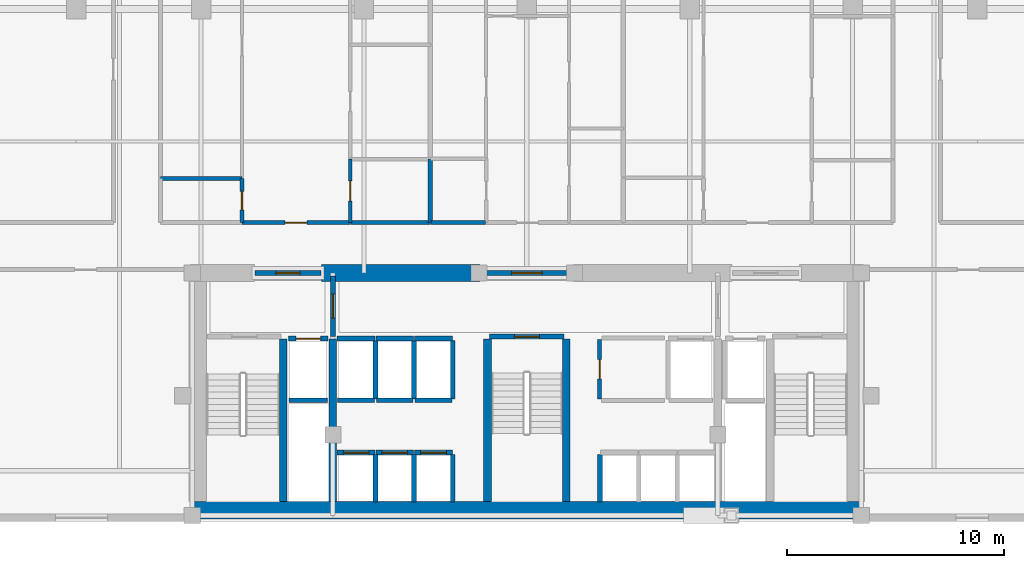
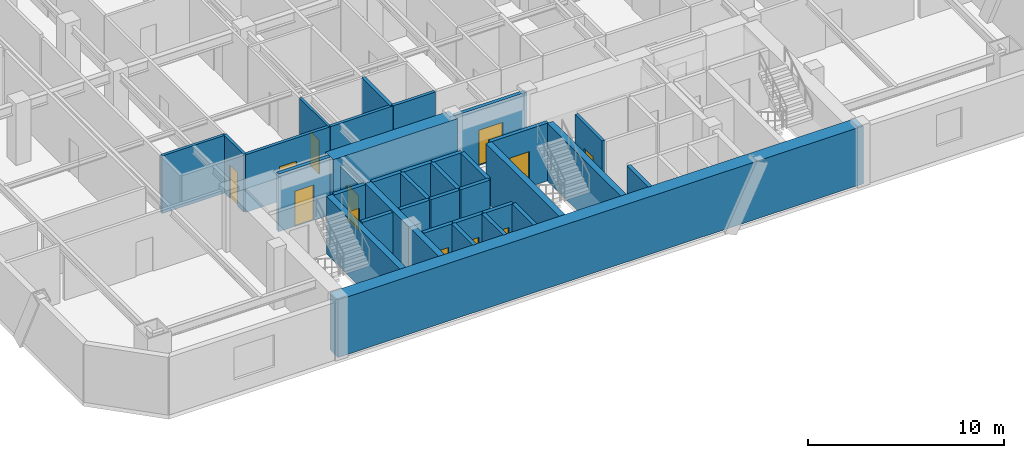
# One storey, part 3 of 9: 36 walls, 12 doors, 12 openings.
"""IFC4 building model written with IfcOpenShell, lengths in metres."""

from ifc_helpers import new_model, si_unit, direction, frame, frame_2d, origin, place, context, subcontext, project, spatial, rectangle, extrude, material, layer, layer_set, type_object, element, fill, save


model = new_model("IFC4")

# Units and contexts
model_context = context("Model", 3, precision=1e-05, world=origin(), true_north=direction((0.0, 1.0)))
body_context = subcontext(model_context, "Body", "Model", "MODEL_VIEW")
ifc_project = project(units=[si_unit("LENGTHUNIT", "METRE"), si_unit("AREAUNIT", "SQUARE_METRE"), si_unit("VOLUMEUNIT", "CUBIC_METRE"), si_unit("PLANEANGLEUNIT", "RADIAN"), si_unit("MASSUNIT", "GRAM", prefix="KILO")], contexts=[model_context])

# Site, building, storey
site_placement = place(None, origin())
site = spatial("IfcSite", under=ifc_project, at=site_placement, CompositionType="ELEMENT")
building_placement = place(site_placement, origin())
building = spatial("IfcBuilding", under=site, at=building_placement, Name="Ventersveld Concourse Tower", CompositionType="ELEMENT")
storey_placement = place(building_placement, frame((0.0, 0.0, 45.199951171875)))
storey = spatial("IfcBuildingStorey", under=building, at=storey_placement, Name="L10", CompositionType="ELEMENT", Elevation=45.199951171875)

# Walls
ifc_material_1 = material(Name="Concrete C60/75", Category="concrete")
ifc_layer_1 = layer(ifc_material_1, 0.35009765625)
ifc_layer_set_1 = layer_set([ifc_layer_1], Name="Concrete C60/75")
wall_type_1 = type_object("IfcWallType", Name="WL-CORE-350L", PredefinedType="SHEAR", material=ifc_layer_set_1)
for number, where, z_axis, x_axis, name in (
    (1, (17.5400390625, 0.919921875, 0.0), (0.0, 0.0, 1.0), (0.0, 1.0, 0.0), "L10 Core Internal Shear Web W-ST1-E"),
    (2, (19.820068359375, 0.919921875, 0.0), (0.0, 0.0, 1.0), (0.0, 1.0, 0.0), "L10 Core Internal Shear Web W-FF1-E"),
    (3, (26.93994140625, 0.919921875, 0.0), (0.0, 0.0, 1.0), (0.0, 1.0, 0.0), "L10 Core Internal Shear Web W-ST3-W"),
    (4, (30.56005859375, 0.919921875, 0.0), (0.0, 0.0, 1.0), (0.0, 1.0, 0.0), "L10 Core Internal Shear Web W-ST3-E"),
):
    element("IfcWall", number, at=place(storey_placement, frame(where, z_axis=z_axis, x_axis=x_axis)), inside=storey, type_object=wall_type_1, Name=name, PredefinedType="SHEAR", context=body_context, shape_type="SweptSolid", body=[
        extrude(rectangle(XDim=7.5, YDim=0.35009765625, at=frame_2d((3.75, 0.0))), origin(), (0.0, 0.0, 1.0), 3.60009765625),
    ])
ifc_layer_2 = layer(ifc_material_1, 0.800048828125)
ifc_layer_set_2 = layer_set([ifc_layer_2], Name="Concrete C60/75")
wall_type_2 = type_object("IfcWallType", Name="WL-CORE-800", PredefinedType="SHEAR", material=ifc_layer_set_2)
wall_1_placement = place(storey_placement, frame((13.25, 0.52001953125, 0.0), z_axis=(0.0, 0.0, 1.0), x_axis=(1.0, 0.0, 0.0)))
element("IfcWall", 5, at=wall_1_placement, inside=storey, type_object=wall_type_2, Name="L10 Rear Core South Shear Wall", PredefinedType="SHEAR", context=body_context, shape_type="SweptSolid", body=[
    extrude(rectangle(XDim=31.0, YDim=0.800048828125, at=frame_2d((15.5, 0.0))), origin(), (0.0, 0.0, 1.0), 3.60009765625),
])
wall_2_placement = place(storey_placement, frame((19.300048828125, 11.449951171875, 0.0), z_axis=(0.0, 0.0, 1.0), x_axis=(1.0, 0.0, 0.0)))
element("IfcWall", 6, at=wall_2_placement, inside=storey, type_object=wall_type_2, Name="L10 Rear Core North Shear Wall NML", PredefinedType="SHEAR", context=body_context, shape_type="SweptSolid", body=[
    extrude(rectangle(XDim=7.300048828125, YDim=0.800048828125, at=frame_2d((3.64990234375, 0.0))), origin(), (0.0, 0.0, 1.0), 3.60009765625),
])

# Wall, opening, door
ifc_material_2 = material(Name="Fire-rated autoclaved aerated masonry blockwork", Category="masonry")
ifc_layer_3 = layer(ifc_material_2, 0.179931640625)
ifc_layer_set_3 = layer_set([ifc_layer_3], Name="Fire-rated autoclaved aerated masonry blockwork")
wall_type_3 = type_object("IfcWallType", Name="WL-CORR-180", PredefinedType="PARTITIONING", material=ifc_layer_set_3)
wall_3_placement = place(storey_placement, frame((32.10009765625, 5.64990234375, 0.0), z_axis=(0.0, 0.0, 1.0), x_axis=(0.0, 1.0, 0.0)))
wall_3 = element("IfcWall", 7, at=wall_3_placement, inside=storey, type_object=wall_type_3, Name="L10 Core Passage Wall SP-L10-CBAY1", PredefinedType="PARTITIONING", context=body_context, shape_type="SweptSolid", body=[
    extrude(rectangle(XDim=2.72998046875, YDim=0.179931640625, at=frame_2d((1.364990234375, 0.0))), origin(), (0.0, 0.0, 1.0), 3.60009765625),
])
opening_1_placement = place(wall_3_placement, frame((0.925048828125, 0.0, 0.0)))
opening_1 = element("IfcOpeningElement", 8, at=opening_1_placement, cuts=wall_3, Name="Opening FD5", PredefinedType="OPENING", context=body_context, shape_type="SweptSolid", body=[
    extrude(rectangle(XDim=0.8798828125, YDim=2.050048828125, at=frame_2d((0.43994140625, 1.02490234375))), frame((0.0, 0.10009765625, 0.0), z_axis=(0.0, -1.0, 0.0), x_axis=(1.0, 0.0, 0.0)), (0.0, 0.0, 1.0), 0.199951171875),
])
ifc_material_3 = material(Name="Galvanised painted steel", Category="steel")
door_type_1 = type_object("IfcDoorType", Name="DR-RISER-088", OperationType="NOTDEFINED", PredefinedType="DOOR", material=ifc_material_3)
door_1_placement = place(opening_1_placement, origin())
door_1 = element("IfcDoor", 9, at=door_1_placement, inside=storey, type_object=door_type_1, Name="L10 Core Room Door L10 Core Housekeeping Linen Store (CD-L10-0370)", OperationType="SINGLE_SWING_LEFT", OverallHeight=2.050048828125, OverallWidth=0.8798828125, PredefinedType="DOOR", context=body_context, shape_type="SweptSolid", body=[
    extrude(rectangle(XDim=0.8798828125, YDim=2.050048828125, at=frame_2d((0.43994140625, 1.02490234375))), frame((0.0, 0.02490234375, 0.0), z_axis=(0.0, -1.0, 0.0), x_axis=(1.0, 0.0, 0.0)), (0.0, 0.0, 1.0), 0.050048828125),
])
fill(opening_1, door_1)

wall_4_placement = place(storey_placement, frame((15.630615234375, 13.77001953125, 0.0), z_axis=(0.0, 0.0, 1.0), x_axis=(1.0, 0.0, 0.0)))
wall_4 = element("IfcWall", 10, at=wall_4_placement, inside=storey, type_object=wall_type_3, Name="L10 Interior Partition SP-L10-COR-SP-L10-10CW-FOY", PredefinedType="PARTITIONING", context=body_context, shape_type="SweptSolid", body=[
    extrude(rectangle(XDim=4.989990234375, YDim=0.179931640625, at=frame_2d((2.4951171875, 0.0))), origin(), (0.0, 0.0, 1.0), 3.60009765625),
])
opening_2_placement = place(wall_4_placement, frame((1.9951171875, 0.0, 0.0)))
opening_2 = element("IfcOpeningElement", 11, at=opening_2_placement, cuts=wall_4, Name="Opening FD3", PredefinedType="OPENING", context=body_context, shape_type="SweptSolid", body=[
    extrude(rectangle(XDim=1.0, YDim=2.14990234375, at=frame_2d((0.5, 1.074951171875))), frame((0.0, 0.10009765625, 0.0), z_axis=(0.0, -1.0, 0.0), x_axis=(1.0, 0.0, 0.0)), (0.0, 0.0, 1.0), 0.199951171875),
])
ifc_material_4 = material(Name="Solid-core hardwood veneer timber", Category="wood")
door_type_2 = type_object("IfcDoorType", Name="DR-FLAT-100", OperationType="NOTDEFINED", PredefinedType="DOOR", material=ifc_material_4)
door_2_placement = place(opening_2_placement, origin())
door_2 = element("IfcDoor", 12, at=door_2_placement, inside=storey, type_object=door_type_2, Name="L10 Interior Door SP-L10-COR to SP-L10-10CW-FOY (FD-L10-0375)", OperationType="SINGLE_SWING_LEFT", OverallHeight=2.14990234375, OverallWidth=1.0, PredefinedType="DOOR", context=body_context, shape_type="SweptSolid", body=[
    extrude(rectangle(XDim=1.0, YDim=2.14990234375, at=frame_2d((0.5, 1.074951171875))), frame((0.0, 0.02490234375, 0.0), z_axis=(0.0, -1.0, 0.0), x_axis=(1.0, 0.0, 0.0)), (0.0, 0.0, 1.0), 0.050048828125),
])
fill(opening_2, door_2)

# Walls
wall_5_placement = place(storey_placement, frame((20.650390625, 13.77001953125, 0.0), z_axis=(0.0, 0.0, 1.0), x_axis=(1.0, 0.0, 0.0)))
element("IfcWall", 13, at=wall_5_placement, inside=storey, type_object=wall_type_3, Name="L10 Interior Partition SP-L10-COR-SP-L10-10CW-KIT", PredefinedType="PARTITIONING", context=body_context, shape_type="SweptSolid", body=[
    extrude(rectangle(XDim=3.66455078125, YDim=0.179931640625, at=frame_2d((1.832275390625, 0.0))), origin(), (0.0, 0.0, 1.0), 3.60009765625),
])
wall_6_placement = place(storey_placement, frame((24.344970703125, 13.77001953125, 0.0), z_axis=(0.0, 0.0, 1.0), x_axis=(1.0, 0.0, 0.0)))
element("IfcWall", 14, at=wall_6_placement, inside=storey, type_object=wall_type_3, Name="L10 Interior Partition SP-L10-COR-SP-L10-10CM-BATH", PredefinedType="PARTITIONING", context=body_context, shape_type="SweptSolid", body=[
    extrude(rectangle(XDim=2.4951171875, YDim=0.179931640625, at=frame_2d((1.24755859375, 0.0))), origin(), (0.0, 0.0, 1.0), 3.60009765625),
])
ifc_layer_4 = layer(ifc_material_2, 0.199951171875)
ifc_layer_set_4 = layer_set([ifc_layer_4], Name="Fire-rated autoclaved aerated masonry blockwork")
wall_type_4 = type_object("IfcWallType", Name="WL-DEMISE-200", PredefinedType="PARTITIONING", material=ifc_layer_set_4)
wall_7_placement = place(storey_placement, frame((24.31005859375, 13.764892578125, 0.0), z_axis=(0.0, 0.0, 1.0), x_axis=(0.0, 1.0, 0.0)))
element("IfcWall", 15, at=wall_7_placement, inside=storey, type_object=wall_type_4, Name="L10 Interior Partition SP-L10-10CW-KIT-SP-L10-10CM-BATH", PredefinedType="PARTITIONING", context=body_context, shape_type="SweptSolid", body=[
    extrude(rectangle(XDim=2.921630859375, YDim=0.199951171875, at=frame_2d((1.4609375, 0.0))), origin(), (0.0, 0.0, 1.0), 3.60009765625),
])
ifc_layer_5 = layer(ifc_material_2, 0.219970703125)
ifc_layer_set_5 = layer_set([ifc_layer_5], Name="Fire-rated autoclaved aerated masonry blockwork")
wall_type_5 = type_object("IfcWallType", Name="WL-HOIST-220", PredefinedType="SOLIDWALL", material=ifc_layer_set_5)
wall_8_placement = place(storey_placement, frame((17.800048828125, 5.590087890625, 0.0), z_axis=(0.0, 0.0, 1.0), x_axis=(1.0, 0.0, 0.0)))
element("IfcWall", 16, at=wall_8_placement, inside=storey, type_object=wall_type_5, Name="L10 Lift Hoistway Back Wall FFL-01", PredefinedType="SOLIDWALL", context=body_context, shape_type="SweptSolid", body=[
    extrude(rectangle(XDim=1.780029296875, YDim=0.219970703125, at=frame_2d((0.89013671875, 0.0))), origin(), (0.0, 0.0, 1.0), 3.60009765625),
])

# Wall, opening, door
wall_9_placement = place(storey_placement, frame((17.780029296875, 8.429931640625, 0.0), z_axis=(0.0, 0.0, 1.0), x_axis=(1.0, 0.0, 0.0)))
wall_9 = element("IfcWall", 17, at=wall_9_placement, inside=storey, type_object=wall_type_5, Name="L10 Lift Hoistway Front Wall FFL-01", PredefinedType="SOLIDWALL", context=body_context, shape_type="SweptSolid", body=[
    extrude(rectangle(XDim=1.820068359375, YDim=0.219970703125, at=frame_2d((0.91015625, 0.0))), origin(), (0.0, 0.0, 1.0), 3.60009765625),
])
opening_3_placement = place(wall_9_placement, frame((0.35009765625, 0.0, 0.0)))
opening_3 = element("IfcOpeningElement", 18, at=opening_3_placement, cuts=wall_9, Name="Opening LD1", PredefinedType="OPENING", context=body_context, shape_type="SweptSolid", body=[
    extrude(rectangle(XDim=1.1201171875, YDim=2.25, at=frame_2d((0.56005859375, 1.125))), frame((0.0, 0.1201171875, 0.0), z_axis=(0.0, -1.0, 0.0), x_axis=(1.0, 0.0, 0.0)), (0.0, 0.0, 1.0), 0.239990234375),
])
ifc_material_5 = material(Name="Brushed stainless steel 316", Category="steel")
door_type_3 = type_object("IfcDoorType", Name="LD-FF-112", OperationType="SLIDING_TO_LEFT", PredefinedType="DOOR", material=ifc_material_5)
door_3_placement = place(opening_3_placement, origin())
door_3 = element("IfcDoor", 19, at=door_3_placement, inside=storey, type_object=door_type_3, Name="L10 Lift landing door FFL-01 (LD-L10-FFL-01)", OperationType="SLIDING_TO_LEFT", OverallHeight=2.25, OverallWidth=1.1201171875, PredefinedType="DOOR", context=body_context, shape_type="SweptSolid", body=[
    extrude(rectangle(XDim=1.1201171875, YDim=2.25, at=frame_2d((0.56005859375, 1.125))), frame((0.0, 0.02490234375, 0.0), z_axis=(0.0, -1.0, 0.0), x_axis=(1.0, 0.0, 0.0)), (0.0, 0.0, 1.0), 0.050048828125),
])
fill(opening_3, door_3)

# Wall
wall_10_placement = place(storey_placement, frame((21.780029296875, 0.89990234375, 0.0), z_axis=(0.0, 0.0, 1.0), x_axis=(0.0, 1.0, 0.0)))
element("IfcWall", 20, at=wall_10_placement, inside=storey, type_object=wall_type_5, Name="L10 Lift Hoistway Side Wall PL-01E", PredefinedType="SOLIDWALL", context=body_context, shape_type="SweptSolid", body=[
    extrude(rectangle(XDim=2.2001953125, YDim=0.219970703125, at=frame_2d((1.10009765625, 0.0))), origin(), (0.0, 0.0, 1.0), 3.60009765625),
])

# Wall, opening, door
wall_11_placement = place(storey_placement, frame((20.02001953125, 3.179931640625, 0.0), z_axis=(0.0, 0.0, 1.0), x_axis=(1.0, 0.0, 0.0)))
wall_11 = element("IfcWall", 21, at=wall_11_placement, inside=storey, type_object=wall_type_5, Name="L10 Lift Hoistway Front Wall PL-01", PredefinedType="SOLIDWALL", context=body_context, shape_type="SweptSolid", body=[
    extrude(rectangle(XDim=1.739990234375, YDim=0.219970703125, at=frame_2d((0.8701171875, 0.0))), origin(), (0.0, 0.0, 1.0), 3.60009765625),
])
opening_4_placement = place(wall_11_placement, frame((0.280029296875, 0.0, 0.0)))
opening_4 = element("IfcOpeningElement", 22, at=opening_4_placement, cuts=wall_11, Name="Opening LD2", PredefinedType="OPENING", context=body_context, shape_type="SweptSolid", body=[
    extrude(rectangle(XDim=1.179931640625, YDim=2.199951171875, at=frame_2d((0.58984375, 1.10009765625))), frame((0.0, 0.1201171875, 0.0), z_axis=(0.0, -1.0, 0.0), x_axis=(1.0, 0.0, 0.0)), (0.0, 0.0, 1.0), 0.239990234375),
])
door_type_4 = type_object("IfcDoorType", Name="LD-PAX-118", OperationType="SLIDING_TO_LEFT", PredefinedType="DOOR", material=ifc_material_5)
door_4_placement = place(opening_4_placement, origin())
door_4 = element("IfcDoor", 23, at=door_4_placement, inside=storey, type_object=door_type_4, Name="L10 Lift landing door PL-01 (LD-L10-PL-01)", OperationType="SLIDING_TO_RIGHT", OverallHeight=2.199951171875, OverallWidth=1.179931640625, PredefinedType="DOOR", context=body_context, shape_type="SweptSolid", body=[
    extrude(rectangle(XDim=1.179931640625, YDim=2.199951171875, at=frame_2d((0.58984375, 1.10009765625))), frame((0.0, 0.02490234375, 0.0), z_axis=(0.0, -1.0, 0.0), x_axis=(1.0, 0.0, 0.0)), (0.0, 0.0, 1.0), 0.050048828125),
])
fill(opening_4, door_4)

# Wall
wall_12_placement = place(storey_placement, frame((23.56005859375, 0.89990234375, 0.0), z_axis=(0.0, 0.0, 1.0), x_axis=(0.0, 1.0, 0.0)))
element("IfcWall", 24, at=wall_12_placement, inside=storey, type_object=wall_type_5, Name="L10 Lift Hoistway Side Wall PL-02E", PredefinedType="SOLIDWALL", context=body_context, shape_type="SweptSolid", body=[
    extrude(rectangle(XDim=2.2001953125, YDim=0.219970703125, at=frame_2d((1.10009765625, 0.0))), origin(), (0.0, 0.0, 1.0), 3.60009765625),
])

# Wall, opening, door
wall_13_placement = place(storey_placement, frame((21.800048828125, 3.179931640625, 0.0), z_axis=(0.0, 0.0, 1.0), x_axis=(1.0, 0.0, 0.0)))
wall_13 = element("IfcWall", 25, at=wall_13_placement, inside=storey, type_object=wall_type_5, Name="L10 Lift Hoistway Front Wall PL-02", PredefinedType="SOLIDWALL", context=body_context, shape_type="SweptSolid", body=[
    extrude(rectangle(XDim=1.739990234375, YDim=0.219970703125, at=frame_2d((0.8701171875, 0.0))), origin(), (0.0, 0.0, 1.0), 3.60009765625),
])
opening_5_placement = place(wall_13_placement, frame((0.280029296875, 0.0, 0.0)))
opening_5 = element("IfcOpeningElement", 26, at=opening_5_placement, cuts=wall_13, Name="Opening LD2", PredefinedType="OPENING", context=body_context, shape_type="SweptSolid", body=[
    extrude(rectangle(XDim=1.179931640625, YDim=2.199951171875, at=frame_2d((0.58984375, 1.10009765625))), frame((0.0, 0.1201171875, 0.0), z_axis=(0.0, -1.0, 0.0), x_axis=(1.0, 0.0, 0.0)), (0.0, 0.0, 1.0), 0.239990234375),
])
door_5_placement = place(opening_5_placement, origin())
door_5 = element("IfcDoor", 27, at=door_5_placement, inside=storey, type_object=door_type_4, Name="L10 Lift landing door PL-02 (LD-L10-PL-02)", OperationType="SLIDING_TO_LEFT", OverallHeight=2.199951171875, OverallWidth=1.179931640625, PredefinedType="DOOR", context=body_context, shape_type="SweptSolid", body=[
    extrude(rectangle(XDim=1.179931640625, YDim=2.199951171875, at=frame_2d((0.58984375, 1.10009765625))), frame((0.0, 0.02490234375, 0.0), z_axis=(0.0, -1.0, 0.0), x_axis=(1.0, 0.0, 0.0)), (0.0, 0.0, 1.0), 0.050048828125),
])
fill(opening_5, door_5)

# Wall
wall_14_placement = place(storey_placement, frame((25.340087890625, 0.89990234375, 0.0), z_axis=(0.0, 0.0, 1.0), x_axis=(0.0, 1.0, 0.0)))
element("IfcWall", 28, at=wall_14_placement, inside=storey, type_object=wall_type_5, Name="L10 Lift Hoistway Side Wall PL-03E", PredefinedType="SOLIDWALL", context=body_context, shape_type="SweptSolid", body=[
    extrude(rectangle(XDim=2.2001953125, YDim=0.219970703125, at=frame_2d((1.10009765625, 0.0))), origin(), (0.0, 0.0, 1.0), 3.60009765625),
])

# Wall, opening, door
wall_15_placement = place(storey_placement, frame((23.580078125, 3.179931640625, 0.0), z_axis=(0.0, 0.0, 1.0), x_axis=(1.0, 0.0, 0.0)))
wall_15 = element("IfcWall", 29, at=wall_15_placement, inside=storey, type_object=wall_type_5, Name="L10 Lift Hoistway Front Wall PL-03", PredefinedType="SOLIDWALL", context=body_context, shape_type="SweptSolid", body=[
    extrude(rectangle(XDim=1.739990234375, YDim=0.219970703125, at=frame_2d((0.8701171875, 0.0))), origin(), (0.0, 0.0, 1.0), 3.60009765625),
])
opening_6_placement = place(wall_15_placement, frame((0.280029296875, 0.0, 0.0)))
opening_6 = element("IfcOpeningElement", 30, at=opening_6_placement, cuts=wall_15, Name="Opening LD2", PredefinedType="OPENING", context=body_context, shape_type="SweptSolid", body=[
    extrude(rectangle(XDim=1.179931640625, YDim=2.199951171875, at=frame_2d((0.58984375, 1.10009765625))), frame((0.0, 0.1201171875, 0.0), z_axis=(0.0, -1.0, 0.0), x_axis=(1.0, 0.0, 0.0)), (0.0, 0.0, 1.0), 0.239990234375),
])
door_6_placement = place(opening_6_placement, origin())
door_6 = element("IfcDoor", 31, at=door_6_placement, inside=storey, type_object=door_type_4, Name="L10 Lift landing door PL-03 (LD-L10-PL-03)", OperationType="SLIDING_TO_RIGHT", OverallHeight=2.199951171875, OverallWidth=1.179931640625, PredefinedType="DOOR", context=body_context, shape_type="SweptSolid", body=[
    extrude(rectangle(XDim=1.179931640625, YDim=2.199951171875, at=frame_2d((0.58984375, 1.10009765625))), frame((0.0, 0.02490234375, 0.0), z_axis=(0.0, -1.0, 0.0), x_axis=(1.0, 0.0, 0.0)), (0.0, 0.0, 1.0), 0.050048828125),
])
fill(opening_6, door_6)

# Walls
wall_16_placement = place(storey_placement, frame((32.1201171875, 0.89990234375, 0.0), z_axis=(0.0, 0.0, 1.0), x_axis=(0.0, 1.0, 0.0)))
element("IfcWall", 32, at=wall_16_placement, inside=storey, type_object=wall_type_5, Name="L10 Lift Hoistway Side Wall PM-01W", PredefinedType="SOLIDWALL", context=body_context, shape_type="SweptSolid", body=[
    extrude(rectangle(XDim=2.2001953125, YDim=0.219970703125, at=frame_2d((1.10009765625, 0.0))), origin(), (0.0, 0.0, 1.0), 3.60009765625),
])
wall_17_placement = place(storey_placement, frame((20.0400390625, 5.590087890625, 0.0), z_axis=(0.0, 0.0, 1.0), x_axis=(1.0, 0.0, 0.0)))
element("IfcWall", 33, at=wall_17_placement, inside=storey, type_object=wall_type_5, Name="L10 Lift Hoistway Back Wall PH-01", PredefinedType="SOLIDWALL", context=body_context, shape_type="SweptSolid", body=[
    extrude(rectangle(XDim=1.699951171875, YDim=0.219970703125, at=frame_2d((0.85009765625, 0.0))), origin(), (0.0, 0.0, 1.0), 3.60009765625),
])
wall_18_placement = place(storey_placement, frame((21.780029296875, 5.64990234375, 0.0), z_axis=(0.0, 0.0, 1.0), x_axis=(0.0, 1.0, 0.0)))
element("IfcWall", 34, at=wall_18_placement, inside=storey, type_object=wall_type_5, Name="L10 Lift Hoistway Side Wall PH-01E", PredefinedType="SOLIDWALL", context=body_context, shape_type="SweptSolid", body=[
    extrude(rectangle(XDim=2.7001953125, YDim=0.219970703125, at=frame_2d((1.35009765625, 0.0))), origin(), (0.0, 0.0, 1.0), 3.60009765625),
])
wall_19_placement = place(storey_placement, frame((20.02001953125, 8.429931640625, 0.0), z_axis=(0.0, 0.0, 1.0), x_axis=(1.0, 0.0, 0.0)))
element("IfcWall", 35, at=wall_19_placement, inside=storey, type_object=wall_type_5, Name="L10 Lift Hoistway Front Wall PH-01", PredefinedType="SOLIDWALL", context=body_context, shape_type="SweptSolid", body=[
    extrude(rectangle(XDim=1.739990234375, YDim=0.219970703125, at=frame_2d((0.8701171875, 0.0))), origin(), (0.0, 0.0, 1.0), 3.60009765625),
])
wall_20_placement = place(storey_placement, frame((21.820068359375, 5.590087890625, 0.0), z_axis=(0.0, 0.0, 1.0), x_axis=(1.0, 0.0, 0.0)))
element("IfcWall", 36, at=wall_20_placement, inside=storey, type_object=wall_type_5, Name="L10 Lift Hoistway Back Wall PH-02", PredefinedType="SOLIDWALL", context=body_context, shape_type="SweptSolid", body=[
    extrude(rectangle(XDim=1.699951171875, YDim=0.219970703125, at=frame_2d((0.85009765625, 0.0))), origin(), (0.0, 0.0, 1.0), 3.60009765625),
])
wall_21_placement = place(storey_placement, frame((23.56005859375, 5.64990234375, 0.0), z_axis=(0.0, 0.0, 1.0), x_axis=(0.0, 1.0, 0.0)))
element("IfcWall", 37, at=wall_21_placement, inside=storey, type_object=wall_type_5, Name="L10 Lift Hoistway Side Wall PH-02E", PredefinedType="SOLIDWALL", context=body_context, shape_type="SweptSolid", body=[
    extrude(rectangle(XDim=2.7001953125, YDim=0.219970703125, at=frame_2d((1.35009765625, 0.0))), origin(), (0.0, 0.0, 1.0), 3.60009765625),
])
wall_22_placement = place(storey_placement, frame((21.800048828125, 8.429931640625, 0.0), z_axis=(0.0, 0.0, 1.0), x_axis=(1.0, 0.0, 0.0)))
element("IfcWall", 38, at=wall_22_placement, inside=storey, type_object=wall_type_5, Name="L10 Lift Hoistway Front Wall PH-02", PredefinedType="SOLIDWALL", context=body_context, shape_type="SweptSolid", body=[
    extrude(rectangle(XDim=1.739990234375, YDim=0.219970703125, at=frame_2d((0.8701171875, 0.0))), origin(), (0.0, 0.0, 1.0), 3.60009765625),
])
wall_23_placement = place(storey_placement, frame((23.60009765625, 5.590087890625, 0.0), z_axis=(0.0, 0.0, 1.0), x_axis=(1.0, 0.0, 0.0)))
element("IfcWall", 39, at=wall_23_placement, inside=storey, type_object=wall_type_5, Name="L10 Lift Hoistway Back Wall PH-03", PredefinedType="SOLIDWALL", context=body_context, shape_type="SweptSolid", body=[
    extrude(rectangle(XDim=1.699951171875, YDim=0.219970703125, at=frame_2d((0.85009765625, 0.0))), origin(), (0.0, 0.0, 1.0), 3.60009765625),
])
wall_24_placement = place(storey_placement, frame((25.340087890625, 5.64990234375, 0.0), z_axis=(0.0, 0.0, 1.0), x_axis=(0.0, 1.0, 0.0)))
element("IfcWall", 40, at=wall_24_placement, inside=storey, type_object=wall_type_5, Name="L10 Lift Hoistway Side Wall PH-03E", PredefinedType="SOLIDWALL", context=body_context, shape_type="SweptSolid", body=[
    extrude(rectangle(XDim=2.7001953125, YDim=0.219970703125, at=frame_2d((1.35009765625, 0.0))), origin(), (0.0, 0.0, 1.0), 3.60009765625),
])
wall_25_placement = place(storey_placement, frame((23.580078125, 8.429931640625, 0.0), z_axis=(0.0, 0.0, 1.0), x_axis=(1.0, 0.0, 0.0)))
element("IfcWall", 41, at=wall_25_placement, inside=storey, type_object=wall_type_5, Name="L10 Lift Hoistway Front Wall PH-03", PredefinedType="SOLIDWALL", context=body_context, shape_type="SweptSolid", body=[
    extrude(rectangle(XDim=1.739990234375, YDim=0.219970703125, at=frame_2d((0.8701171875, 0.0))), origin(), (0.0, 0.0, 1.0), 3.60009765625),
])

# Wall, opening, door
wall_26_placement = place(storey_placement, frame((27.0400390625, 8.52001953125, 0.0), z_axis=(0.0, 0.0, 1.0), x_axis=(1.0, 0.0, 0.0)))
wall_26 = element("IfcWall", 42, at=wall_26_placement, inside=storey, type_object=wall_type_5, Name="L10 Escape Stair ST03 Fire Wall", PredefinedType="SOLIDWALL", context=body_context, shape_type="SweptSolid", body=[
    extrude(rectangle(XDim=3.419921875, YDim=0.219970703125, at=frame_2d((1.7099609375, 0.0))), origin(), (0.0, 0.0, 1.0), 3.60009765625),
])
opening_7_placement = place(wall_26_placement, frame((1.135009765625, 0.0, 0.0)))
opening_7 = element("IfcOpeningElement", 43, at=opening_7_placement, cuts=wall_26, Name="Opening FD1", PredefinedType="OPENING", context=body_context, shape_type="SweptSolid", body=[
    extrude(rectangle(XDim=1.14990234375, YDim=2.199951171875, at=frame_2d((0.574951171875, 1.10009765625))), frame((0.0, 0.1201171875, 0.0), z_axis=(0.0, -1.0, 0.0), x_axis=(1.0, 0.0, 0.0)), (0.0, 0.0, 1.0), 0.239990234375),
])
door_type_5 = type_object("IfcDoorType", Name="DR-STAIR-115", OperationType="NOTDEFINED", PredefinedType="DOOR", material=ifc_material_3)
door_7_placement = place(opening_7_placement, origin())
door_7 = element("IfcDoor", 44, at=door_7_placement, inside=storey, type_object=door_type_5, Name="L10 Escape Stair Door ST03 (SD-L10-0364)", OperationType="SINGLE_SWING_LEFT", OverallHeight=2.199951171875, OverallWidth=1.14990234375, PredefinedType="DOOR", context=body_context, shape_type="SweptSolid", body=[
    extrude(rectangle(XDim=1.14990234375, YDim=2.199951171875, at=frame_2d((0.574951171875, 1.10009765625))), frame((0.0, 0.02490234375, 0.0), z_axis=(0.0, -1.0, 0.0), x_axis=(1.0, 0.0, 0.0)), (0.0, 0.0, 1.0), 0.050048828125),
])
fill(opening_7, door_7)

wall_27_placement = place(storey_placement, frame((19.820068359375, 8.52001953125, 0.0), z_axis=(0.0, 0.0, 1.0), x_axis=(0.0, 1.0, 0.0)))
wall_27 = element("IfcWall", 45, at=wall_27_placement, inside=storey, type_object=wall_type_5, Name="L10 Firefighting Lobby Smoke-Stop Wall FFLW-SEP", PredefinedType="SOLIDWALL", context=body_context, shape_type="SweptSolid", body=[
    extrude(rectangle(XDim=2.800048828125, YDim=0.219970703125, at=frame_2d((1.39990234375, 0.0))), origin(), (0.0, 0.0, 1.0), 3.0556640625),
])
opening_8_placement = place(wall_27_placement, frame((0.85009765625, 0.0, 0.0)))
opening_8 = element("IfcOpeningElement", 46, at=opening_8_placement, cuts=wall_27, Name="Opening FD2", PredefinedType="OPENING", context=body_context, shape_type="SweptSolid", body=[
    extrude(rectangle(XDim=1.10009765625, YDim=2.199951171875, at=frame_2d((0.550048828125, 1.10009765625))), frame((0.0, 0.1201171875, 0.0), z_axis=(0.0, -1.0, 0.0), x_axis=(1.0, 0.0, 0.0)), (0.0, 0.0, 1.0), 0.239990234375),
])
door_type_6 = type_object("IfcDoorType", Name="DR-FFL-110", OperationType="NOTDEFINED", PredefinedType="DOOR", material=ifc_material_3)
door_8_placement = place(opening_8_placement, origin())
door_8 = element("IfcDoor", 47, at=door_8_placement, inside=storey, type_object=door_type_6, Name="L10 Firefighting Lobby Door FFLW-SEP (FD-L10-0365)", OperationType="SINGLE_SWING_LEFT", OverallHeight=2.199951171875, OverallWidth=1.10009765625, PredefinedType="DOOR", context=body_context, shape_type="SweptSolid", body=[
    extrude(rectangle(XDim=1.10009765625, YDim=2.199951171875, at=frame_2d((0.550048828125, 1.10009765625))), frame((0.0, 0.02490234375, 0.0), z_axis=(0.0, -1.0, 0.0), x_axis=(1.0, 0.0, 0.0)), (0.0, 0.0, 1.0), 0.050048828125),
])
fill(opening_8, door_8)

wall_28_placement = place(storey_placement, frame((16.22998046875, 11.449951171875, 0.0), z_axis=(0.0, 0.0, 1.0), x_axis=(1.0, 0.0, 0.0)))
wall_28 = element("IfcWall", 48, at=wall_28_placement, inside=storey, type_object=wall_type_5, Name="L10 Core North Fire Portal FFLW-OUT", PredefinedType="SOLIDWALL", context=body_context, shape_type="SweptSolid", body=[
    extrude(rectangle(XDim=3.0400390625, YDim=0.219970703125, at=frame_2d((1.52001953125, 0.0))), origin(), (0.0, 0.0, 1.0), 3.60009765625),
])
opening_9_placement = place(wall_28_placement, frame((0.969970703125, 0.0, 0.0)))
opening_9 = element("IfcOpeningElement", 49, at=opening_9_placement, cuts=wall_28, Name="Opening FD2", PredefinedType="OPENING", context=body_context, shape_type="SweptSolid", body=[
    extrude(rectangle(XDim=1.10009765625, YDim=2.199951171875, at=frame_2d((0.550048828125, 1.10009765625))), frame((0.0, 0.1201171875, 0.0), z_axis=(0.0, -1.0, 0.0), x_axis=(1.0, 0.0, 0.0)), (0.0, 0.0, 1.0), 0.239990234375),
])
door_9_placement = place(opening_9_placement, origin())
door_9 = element("IfcDoor", 50, at=door_9_placement, inside=storey, type_object=door_type_6, Name="L10 Core Lobby Fire Door FFLW-OUT (FD-L10-0367)", OperationType="SINGLE_SWING_RIGHT", OverallHeight=2.199951171875, OverallWidth=1.10009765625, PredefinedType="DOOR", context=body_context, shape_type="SweptSolid", body=[
    extrude(rectangle(XDim=1.10009765625, YDim=2.199951171875, at=frame_2d((0.550048828125, 1.10009765625))), frame((0.0, 0.02490234375, 0.0), z_axis=(0.0, -1.0, 0.0), x_axis=(1.0, 0.0, 0.0)), (0.0, 0.0, 1.0), 0.050048828125),
])
fill(opening_9, door_9)

wall_29_placement = place(storey_placement, frame((26.6298828125, 11.449951171875, 0.0), z_axis=(0.0, 0.0, 1.0), x_axis=(1.0, 0.0, 0.0)))
wall_29 = element("IfcWall", 51, at=wall_29_placement, inside=storey, type_object=wall_type_5, Name="L10 Core North Fire Portal PLOB-OUT", PredefinedType="SOLIDWALL", context=body_context, shape_type="SweptSolid", body=[
    extrude(rectangle(XDim=4.240234375, YDim=0.219970703125, at=frame_2d((2.1201171875, 0.0))), origin(), (0.0, 0.0, 1.0), 3.60009765625),
])
opening_10_placement = place(wall_29_placement, frame((1.419921875, 0.0, 0.0)))
opening_10 = element("IfcOpeningElement", 52, at=opening_10_placement, cuts=wall_29, Name="Opening FD4", PredefinedType="OPENING", context=body_context, shape_type="SweptSolid", body=[
    extrude(rectangle(XDim=1.39990234375, YDim=2.199951171875, at=frame_2d((0.699951171875, 1.10009765625))), frame((0.0, 0.1201171875, 0.0), z_axis=(0.0, -1.0, 0.0), x_axis=(1.0, 0.0, 0.0)), (0.0, 0.0, 1.0), 0.239990234375),
])
door_type_7 = type_object("IfcDoorType", Name="DR-PLANT-140", OperationType="DOUBLE_DOOR_SINGLE_SWING", PredefinedType="DOOR", material=ifc_material_3)
door_10_placement = place(opening_10_placement, origin())
door_10 = element("IfcDoor", 53, at=door_10_placement, inside=storey, type_object=door_type_7, Name="L10 Core Lobby Fire Door PLOB-OUT (FD-L10-0368)", OperationType="DOUBLE_DOOR_SINGLE_SWING", OverallHeight=2.199951171875, OverallWidth=1.39990234375, PredefinedType="DOOR", context=body_context, shape_type="SweptSolid", body=[
    extrude(rectangle(XDim=1.39990234375, YDim=2.199951171875, at=frame_2d((0.699951171875, 1.10009765625))), frame((0.0, 0.02490234375, 0.0), z_axis=(0.0, -1.0, 0.0), x_axis=(1.0, 0.0, 0.0)), (0.0, 0.0, 1.0), 0.050048828125),
])
fill(opening_10, door_10)

ifc_material_6 = material(Name="Autoclaved aerated masonry blockwork", Category="masonry")
ifc_layer_6 = layer(ifc_material_6, 0.14990234375)
ifc_layer_set_6 = layer_set([ifc_layer_6], Name="Autoclaved aerated masonry blockwork")
wall_type_6 = type_object("IfcWallType", Name="WL-INT-150", PredefinedType="PARTITIONING", material=ifc_layer_set_6)
wall_30_placement = place(storey_placement, frame((20.615478515625, 13.764892578125, 0.0), z_axis=(0.0, 0.0, 1.0), x_axis=(0.0, 1.0, 0.0)))
wall_30 = element("IfcWall", 54, at=wall_30_placement, inside=storey, type_object=wall_type_6, Name="L10 Interior Partition SP-L10-10CW-FOY-SP-L10-10CW-KIT", PredefinedType="PARTITIONING", context=body_context, shape_type="SweptSolid", body=[
    extrude(rectangle(XDim=2.921630859375, YDim=0.14990234375, at=frame_2d((1.4609375, 0.0))), origin(), (0.0, 0.0, 1.0), 3.60009765625),
])
opening_11_placement = place(wall_30_placement, frame((1.000732421875, 0.0, 0.0)))
opening_11 = element("IfcOpeningElement", 55, at=opening_11_placement, cuts=wall_30, Name="Opening ID1", PredefinedType="OPENING", context=body_context, shape_type="SweptSolid", body=[
    extrude(rectangle(XDim=0.919921875, YDim=2.10009765625, at=frame_2d((0.4599609375, 1.050048828125))), frame((0.0, 0.0849609375, 0.0), z_axis=(0.0, -1.0, 0.0), x_axis=(1.0, 0.0, 0.0)), (0.0, 0.0, 1.0), 0.169921875),
])
door_type_8 = type_object("IfcDoorType", Name="DR-ROOM-092", OperationType="NOTDEFINED", PredefinedType="DOOR", material=ifc_material_4)
door_11_placement = place(opening_11_placement, origin())
door_11 = element("IfcDoor", 56, at=door_11_placement, inside=storey, type_object=door_type_8, Name="L10 Interior Door SP-L10-10CW-FOY to SP-L10-10CW-KIT (D-L10-0383)", OperationType="SINGLE_SWING_LEFT", OverallHeight=2.10009765625, OverallWidth=0.919921875, PredefinedType="DOOR", context=body_context, shape_type="SweptSolid", body=[
    extrude(rectangle(XDim=0.919921875, YDim=2.10009765625, at=frame_2d((0.4599609375, 1.050048828125))), frame((0.0, 0.02490234375, 0.0), z_axis=(0.0, -1.0, 0.0), x_axis=(1.0, 0.0, 0.0)), (0.0, 0.0, 1.0), 0.050048828125),
])
fill(opening_11, door_11)

ifc_layer_7 = layer(ifc_material_6, 0.1650390625)
ifc_layer_set_7 = layer_set([ifc_layer_7], Name="Autoclaved aerated masonry blockwork")
wall_type_7 = type_object("IfcWallType", Name="WL-WET-165", PredefinedType="PLUMBINGWALL", material=ifc_layer_set_7)
wall_31_placement = place(storey_placement, frame((15.635498046875, 13.764892578125, 0.0), z_axis=(0.0, 0.0, 1.0), x_axis=(0.0, 1.0, 0.0)))
wall_31 = element("IfcWall", 57, at=wall_31_placement, inside=storey, type_object=wall_type_7, Name="L10 Interior Partition SP-L10-10CW-FOY-SP-L10-10CW-BATH", PredefinedType="PLUMBINGWALL", context=body_context, shape_type="SweptSolid", body=[
    extrude(rectangle(XDim=2.041259765625, YDim=0.1650390625, at=frame_2d((1.0205078125, 0.0))), origin(), (0.0, 0.0, 1.0), 3.60009765625),
])
opening_12_placement = place(wall_31_placement, frame((0.595703125, 0.0, 0.0)))
opening_12 = element("IfcOpeningElement", 58, at=opening_12_placement, cuts=wall_31, Name="Opening ID2", PredefinedType="OPENING", context=body_context, shape_type="SweptSolid", body=[
    extrude(rectangle(XDim=0.85009765625, YDim=2.10009765625, at=frame_2d((0.425048828125, 1.050048828125))), frame((0.0, 0.092529296875, 0.0), z_axis=(0.0, -1.0, 0.0), x_axis=(1.0, 0.0, 0.0)), (0.0, 0.0, 1.0), 0.18505859375),
])
door_type_9 = type_object("IfcDoorType", Name="DR-BATH-085", OperationType="NOTDEFINED", PredefinedType="DOOR", material=ifc_material_4)
door_12_placement = place(opening_12_placement, origin())
door_12 = element("IfcDoor", 59, at=door_12_placement, inside=storey, type_object=door_type_9, Name="L10 Interior Door SP-L10-10CW-FOY to SP-L10-10CW-BATH (D-L10-0381)", OperationType="SINGLE_SWING_LEFT", OverallHeight=2.10009765625, OverallWidth=0.85009765625, PredefinedType="DOOR", context=body_context, shape_type="SweptSolid", body=[
    extrude(rectangle(XDim=0.85009765625, YDim=2.10009765625, at=frame_2d((0.425048828125, 1.050048828125))), frame((0.0, 0.02490234375, 0.0), z_axis=(0.0, -1.0, 0.0), x_axis=(1.0, 0.0, 0.0)), (0.0, 0.0, 1.0), 0.050048828125),
])
fill(opening_12, door_12)

# Wall
wall_32_placement = place(storey_placement, frame((11.885009765625, 15.801025390625, 0.0), z_axis=(0.0, 0.0, 1.0), x_axis=(1.0, 0.0, 0.0)))
element("IfcWall", 60, at=wall_32_placement, inside=storey, type_object=wall_type_7, Name="L10 Interior Partition SP-L10-10CW-BATH-SP-L10-10CW-OFFL0", PredefinedType="PLUMBINGWALL", context=body_context, shape_type="SweptSolid", body=[
    extrude(rectangle(XDim=3.75537109375, YDim=0.1650390625, at=frame_2d((1.877685546875, 0.0))), origin(), (0.0, 0.0, 1.0), 3.60009765625),
])

save(model, "model.ifc")
